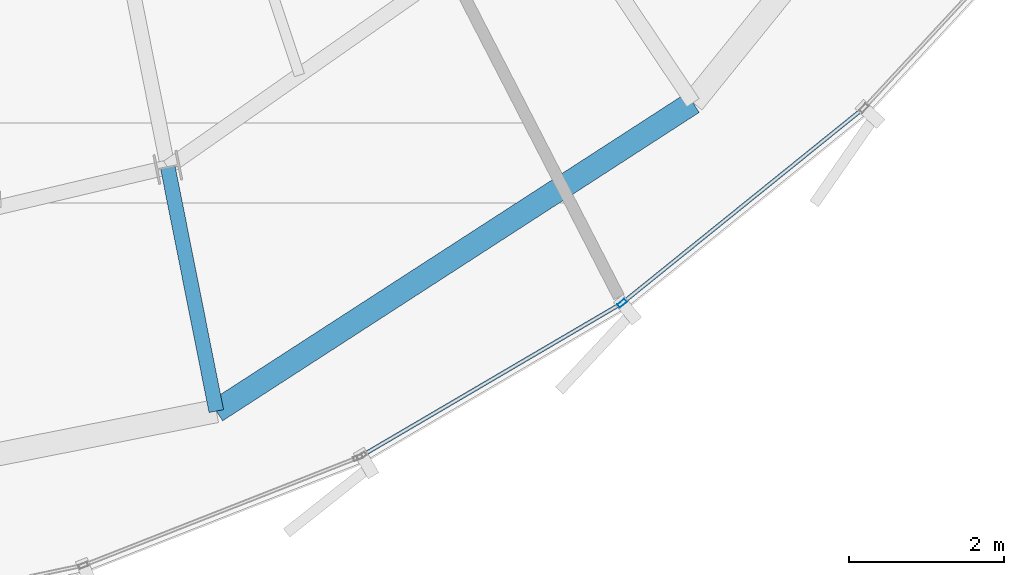
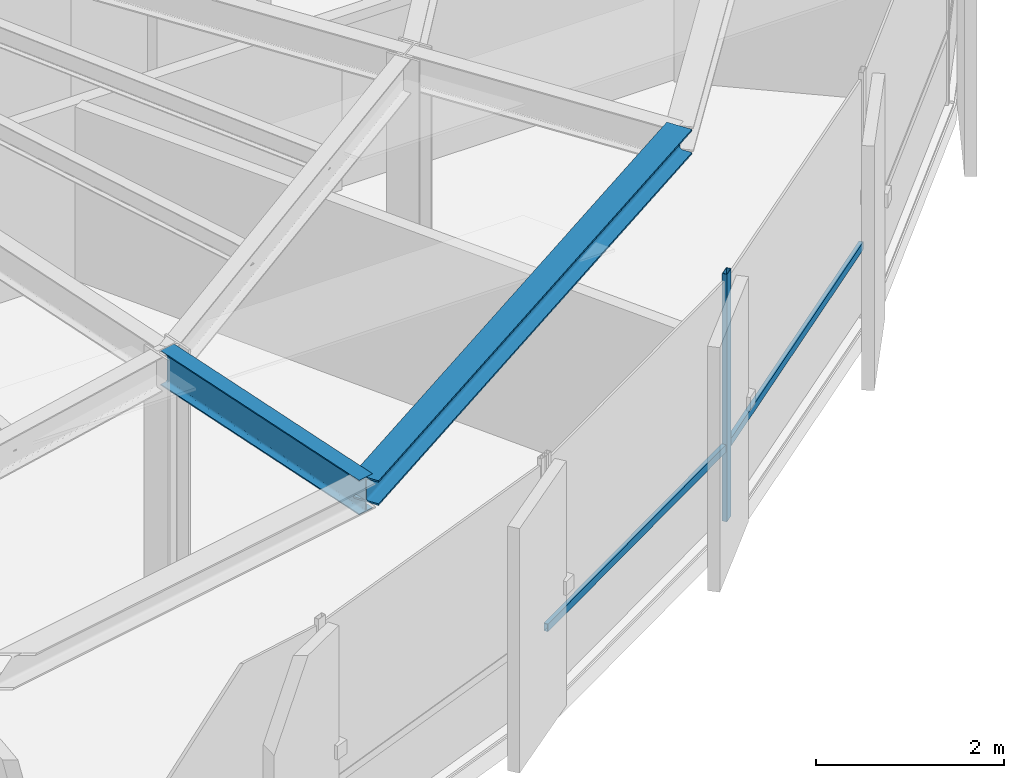
# One storey, part 7 of 36: 3 members, 2 beams, 1 element without a shape of its own.
"""IFC4 building model written with IfcOpenShell, lengths in metres."""

from ifc_helpers import new_model, si_unit, direction, frame, origin, origin_2d, place, context, subcontext, project, spatial, hollow_rectangle, i_section, extrude, source, transform, mapped, material, layer, layer_set, material_profile, profile_set, type_object, element, aggregate, save


model = new_model("IFC4")

# Units and contexts
model_context = context("Model", 3, precision=1e-05, world=origin(), true_north=direction((0.0, 1.0)))
body_context = subcontext(model_context, "Body", "Model", "MODEL_VIEW")
ifc_project = project(units=[si_unit("LENGTHUNIT", "METRE"), si_unit("AREAUNIT", "SQUARE_METRE"), si_unit("VOLUMEUNIT", "CUBIC_METRE"), si_unit("PLANEANGLEUNIT", "RADIAN"), si_unit("MASSUNIT", "GRAM", prefix="KILO"), si_unit("THERMODYNAMICTEMPERATUREUNIT", "KELVIN")], contexts=[model_context])

# Site, building, storey
site_placement = place(None, origin())
site = spatial("IfcSite", under=ifc_project, at=site_placement, CompositionType="ELEMENT")
building_placement = place(site_placement, origin())
building = spatial("IfcBuilding", under=site, at=building_placement, Name="Kethvar Cultural Tower", CompositionType="ELEMENT")
storey_placement = place(building_placement, frame((0.0, 0.0, 242.199951171875)))
storey = spatial("IfcBuildingStorey", under=building, at=storey_placement, Name="L63", CompositionType="ELEMENT", Elevation=242.199951171875)

# Beams
ifc_material_1 = material(Name="Steel S355J2", Category="steel")
ifc_material_profile_1 = material_profile(ifc_material_1, i_section(OverallWidth=0.18994140625, OverallDepth=0.449951171875, WebThickness=0.009521484375, FlangeThickness=0.0146484375, FilletRadius=0.02099609375, at=origin_2d()), Name="Steel S355J2 — IPE450")
ifc_profile_set_1 = profile_set([ifc_material_profile_1], Name="Steel S355J2 — IPE450")
beam_type_1 = type_object("IfcBeamType", Name="BM-IPE450", PredefinedType="BEAM", material=ifc_profile_set_1)
shared_shape_1 = source(origin(), body_context, "Body", "SweptSolid", [
    extrude(i_section(OverallWidth=0.18994140625, OverallDepth=0.449951171875, WebThickness=0.009521484375, FlangeThickness=0.0146484375, FilletRadius=0.02099609375, at=origin_2d()), origin(), (0.0, 0.0, 1.0), 3.199951171875),
])
beam_1_placement = place(storey_placement, frame((49.901611328125, 12.206787109375, 2.983154296875), z_axis=(0.195088965533, -0.980785550224, 0.0), x_axis=(0.980785550224, 0.195088965533, 0.0)))
element("IfcBeam", 1, at=beam_1_placement, inside=storey, type_object=beam_type_1, Name="L63 Perimeter Cantilever Beam RC-13", PredefinedType="BEAM", context=body_context, shape_type="MappedRepresentation", body=[
    mapped(shared_shape_1, transform((0.0, 0.0, 0.0), scale=1.0)),
])
ifc_material_profile_2 = material_profile(ifc_material_1, i_section(OverallWidth=0.300048828125, OverallDepth=0.320068359375, WebThickness=0.011474609375, FlangeThickness=0.0205078125, FilletRadius=0.027099609375, at=origin_2d()), Name="Steel S355J2 — HEB320")
ifc_profile_set_2 = profile_set([ifc_material_profile_2], Name="Steel S355J2 — HEB320")
beam_type_2 = type_object("IfcBeamType", Name="BM-SP320", PredefinedType="SPANDREL", material=ifc_profile_set_2)
shared_shape_2 = source(origin(), body_context, "Body", "SweptSolid", [
    extrude(i_section(OverallWidth=0.300048828125, OverallDepth=0.320068359375, WebThickness=0.011474609375, FlangeThickness=0.0205078125, FilletRadius=0.027099609375, at=origin_2d()), origin(), (0.0, 0.0, 1.0), 7.309326171875),
])
beam_2_placement = place(storey_placement, frame((50.52587890625, 9.068359375, 3.048095703125), z_axis=(0.839562091992, 0.543263742292, 0.0), x_axis=(-0.543263742292, 0.839562091992, 0.0)))
element("IfcBeam", 2, at=beam_2_placement, inside=storey, type_object=beam_type_2, Name="L63 Perimeter Spandrel Beam SP-13", PredefinedType="SPANDREL", context=body_context, shape_type="MappedRepresentation", body=[
    mapped(shared_shape_2, transform((0.0, 0.0, 0.0), scale=1.0)),
])

# Curtain wall, members
ifc_material_2 = material(Name="Aluminium 6063-T6", Category="aluminium")
ifc_layer = layer(ifc_material_2, 0.179931640625, Name="Aluminium 6063-T6", Category="aluminium")
ifc_layer_set = layer_set([ifc_layer], Name="Aluminium 6063-T6 (180 mm)")
curtain_wall_type = type_object("IfcCurtainWallType", Name="CW-SYS-05-Z56", PredefinedType="NOTDEFINED", material=ifc_layer_set)
curtain_wall_placement = place(storey_placement, origin())
curtain_wall = element("IfcCurtainWall", 3, at=curtain_wall_placement, inside=storey, type_object=curtain_wall_type, Name="L63 Curtain Wall Run 05", PredefinedType="NOTDEFINED")
ifc_material_profile_3 = material_profile(ifc_material_2, hollow_rectangle(XDim=0.054931640625, YDim=0.1201171875, WallThickness=0.00390625, at=origin_2d()), Name="Aluminium 6063-T6 — RHS120x55x4")
ifc_profile_set_3 = profile_set([ifc_material_profile_3], Name="Aluminium 6063-T6 — RHS120x55x4")
member_type_1 = type_object("IfcMemberType", Name="CW-SYS-05-Z56-MUL", PredefinedType="MULLION", material=ifc_profile_set_3)
shared_shape_3 = source(origin(), body_context, "Body", "SweptSolid", [
    extrude(hollow_rectangle(XDim=0.054931640625, YDim=0.1201171875, WallThickness=0.00390625, at=origin_2d()), origin(), (0.0, 0.0, 1.0), 3.2099609375),
])
member_1_placement = place(storey_placement, frame((55.751220703125, 10.457763671875, 0.0), z_axis=(0.0, 0.0, 1.0), x_axis=(-0.628126038739, 0.778111611183, 0.0)))
member_1 = element("IfcMember", 4, at=member_1_placement, type_object=member_type_1, Name="CW-L63-R05 Mullion 2", PredefinedType="MULLION", context=body_context, shape_type="MappedRepresentation", body=[
    mapped(shared_shape_3, transform((0.0, 0.0, 0.0), scale=1.0)),
])
ifc_material_profile_4 = material_profile(ifc_material_2, hollow_rectangle(XDim=0.050048828125, YDim=0.10009765625, WallThickness=0.00390625, at=origin_2d()), Name="Aluminium 6063-T6 — RHS100x50x4")
ifc_profile_set_4 = profile_set([ifc_material_profile_4], Name="Aluminium 6063-T6 — RHS100x50x4")
member_type_2 = type_object("IfcMemberType", Name="CW-SYS-05-Z56-TRN", PredefinedType="USERDEFINED", material=ifc_profile_set_4)
shared_shape_4 = source(origin(), body_context, "Body", "SweptSolid", [
    extrude(hollow_rectangle(XDim=0.050048828125, YDim=0.10009765625, WallThickness=0.00390625, at=origin_2d()), origin(), (0.0, 0.0, 1.0), 3.85693359375),
])
member_2_placement = place(storey_placement, frame((52.402099609375, 8.49560546875, 0.949951171875), z_axis=(0.862709397405, 0.505700005566, 0.0), x_axis=(-0.505700005566, 0.862709397405, 0.0)))
member_2 = element("IfcMember", 5, at=member_2_placement, type_object=member_type_2, Name="CW-L63-R05 Transom 1", ObjectType="TRANSOM", PredefinedType="USERDEFINED", context=body_context, shape_type="MappedRepresentation", body=[
    mapped(shared_shape_4, transform((0.0, 0.0, 0.0), scale=1.0)),
])
shared_shape_5 = source(origin(), body_context, "Body", "SweptSolid", [
    extrude(hollow_rectangle(XDim=0.050048828125, YDim=0.10009765625, WallThickness=0.00390625, at=origin_2d()), origin(), (0.0, 0.0, 1.0), 3.9326171875),
])
member_3_placement = place(storey_placement, frame((55.781982421875, 10.482666015625, 0.949951171875), z_axis=(0.778141894252, 0.62808852275, 0.0), x_axis=(-0.62808852275, 0.778141894252, 0.0)))
member_3 = element("IfcMember", 6, at=member_3_placement, type_object=member_type_2, Name="CW-L63-R05 Transom 2", ObjectType="TRANSOM", PredefinedType="USERDEFINED", context=body_context, shape_type="MappedRepresentation", body=[
    mapped(shared_shape_5, transform((0.0, 0.0, 0.0), scale=1.0)),
])
aggregate(curtain_wall, [member_1, member_2, member_3])

save(model, "model.ifc")
